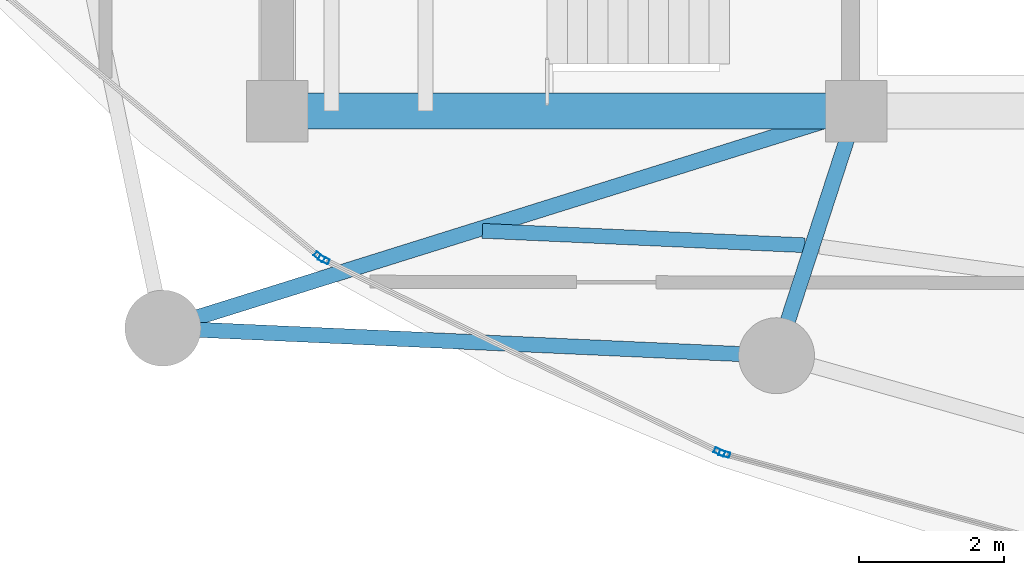
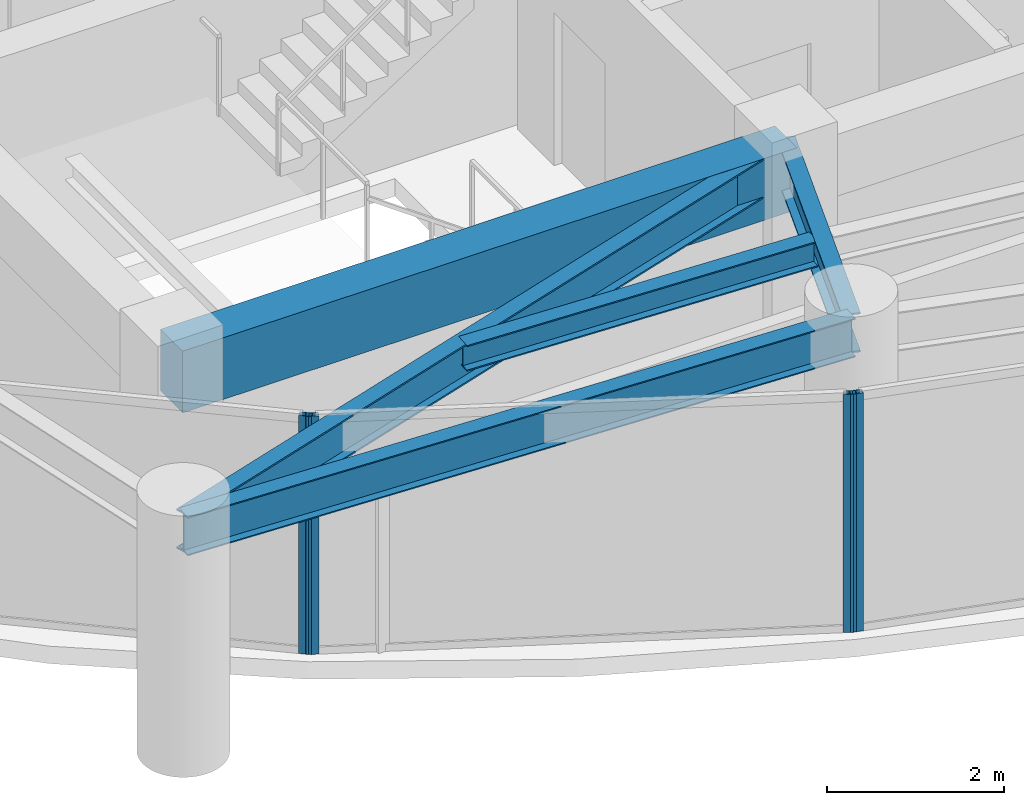
# One storey, part 2 of 29: 5 beams, 4 members, 3 elements without a shape of their own.
"""IFC4 building model written with IfcOpenShell, lengths in metres."""

from ifc_helpers import new_model, si_unit, direction, frame, origin, origin_2d, place, context, subcontext, project, spatial, rectangle, hollow_rectangle, i_section, extrude, material, layer, layer_set, material_profile, profile_set, type_object, element, aggregate, save


model = new_model("IFC4")

# Units and contexts
model_context = context("Model", 3, precision=1e-05, world=origin(), true_north=direction((0.0, 1.0)))
body_context = subcontext(model_context, "Body", "Model", "MODEL_VIEW")
ifc_project = project(units=[si_unit("LENGTHUNIT", "METRE"), si_unit("AREAUNIT", "SQUARE_METRE"), si_unit("VOLUMEUNIT", "CUBIC_METRE"), si_unit("PLANEANGLEUNIT", "RADIAN"), si_unit("MASSUNIT", "GRAM", prefix="KILO")], contexts=[model_context])

# Site, building, storey
site_placement = place(None, origin())
site = spatial("IfcSite", under=ifc_project, at=site_placement, CompositionType="ELEMENT")
building_placement = place(site_placement, origin())
building = spatial("IfcBuilding", under=site, at=building_placement, Name="Kazevale Care Tower and Concert Hall", CompositionType="ELEMENT")
storey_placement = place(building_placement, frame((0.0, 0.0, 249.60009765625)))
storey = spatial("IfcBuildingStorey", under=building, at=storey_placement, Name="L66", CompositionType="ELEMENT", Elevation=249.60009765625)

# Curtain wall, member
ifc_material_1 = material(Name="Aluminium 6063-T6 and Low-E Glass", Category="aluminium")
ifc_layer = layer(ifc_material_1, 0.179931640625)
ifc_layer_set = layer_set([ifc_layer], Name="Aluminium 6063-T6 and Low-E Glass")
curtain_wall_type = type_object("IfcCurtainWallType", Name="Sheltered Concave Balcony Curtain Wall CW-5", PredefinedType="NOTDEFINED", material=ifc_layer_set)
curtain_wall_1_placement = place(storey_placement, origin())
curtain_wall_1 = element("IfcCurtainWall", 1, at=curtain_wall_1_placement, inside=storey, type_object=curtain_wall_type, Name="cw:L66:f08", PredefinedType="NOTDEFINED")
ifc_material_2 = material(Name="Aluminium 6063-T6", Category="aluminium")
ifc_material_profile_1 = material_profile(ifc_material_2, hollow_rectangle(XDim=0.074951171875, YDim=0.14990234375, WallThickness=0.00390625, at=origin_2d()), Name="ALU75x150x4")
ifc_profile_set_1 = profile_set([ifc_material_profile_1], Name="Aluminium 6063-T6")
member_type = type_object("IfcMemberType", Name="CW-5 Mullion ALU75x150x4", PredefinedType="MULLION", material=ifc_profile_set_1)
member_1_placement = place(storey_placement, frame((28.18017578125, 18.863037109375, 0.0), z_axis=(0.0, 0.0, 1.0), x_axis=(-0.262848968947, -0.964836991167, 0.0)))
member_1 = element("IfcMember", 2, at=member_1_placement, type_object=member_type, Name="CW-5 mullion 2", PredefinedType="MULLION", context=body_context, shape_type="SweptSolid", body=[
    extrude(hollow_rectangle(XDim=0.074951171875, YDim=0.14990234375, WallThickness=0.00390625, at=origin_2d()), origin(), (0.0, 0.0, 1.0), 3.27978515625),
])
aggregate(curtain_wall_1, [member_1])

# Curtain wall, members
curtain_wall_2_placement = place(storey_placement, origin())
curtain_wall_2 = element("IfcCurtainWall", 3, at=curtain_wall_2_placement, inside=storey, type_object=curtain_wall_type, Name="cw:L66:f09", PredefinedType="NOTDEFINED")
member_2_placement = place(storey_placement, frame((28.1103515625, 18.889404296875, 0.0), z_axis=(0.0, 0.0, 1.0), x_axis=(-0.437238357087, -0.89934566163, 0.0)))
member_2 = element("IfcMember", 4, at=member_2_placement, type_object=member_type, Name="CW-5 mullion 1", PredefinedType="MULLION", context=body_context, shape_type="SweptSolid", body=[
    extrude(hollow_rectangle(XDim=0.074951171875, YDim=0.14990234375, WallThickness=0.00390625, at=origin_2d()), origin(), (0.0, 0.0, 1.0), 3.27978515625),
])
member_3_placement = place(storey_placement, frame((22.644775390625, 21.546630859375, 0.0), z_axis=(0.0, 0.0, 1.0), x_axis=(-0.437238357087, -0.89934566163, 0.0)))
member_3 = element("IfcMember", 5, at=member_3_placement, type_object=member_type, Name="CW-5 mullion 2", PredefinedType="MULLION", context=body_context, shape_type="SweptSolid", body=[
    extrude(hollow_rectangle(XDim=0.074951171875, YDim=0.14990234375, WallThickness=0.00390625, at=origin_2d()), origin(), (0.0, 0.0, 1.0), 3.27978515625),
])
aggregate(curtain_wall_2, [member_2, member_3])

# Curtain wall, member
curtain_wall_3_placement = place(storey_placement, origin())
curtain_wall_3 = element("IfcCurtainWall", 6, at=curtain_wall_3_placement, inside=storey, type_object=curtain_wall_type, Name="cw:L66:f10", PredefinedType="NOTDEFINED")
member_4_placement = place(storey_placement, frame((22.582275390625, 21.5869140625, 0.0), z_axis=(0.0, 0.0, 1.0), x_axis=(-0.639961217204, -0.768407210062, 0.0)))
member_4 = element("IfcMember", 7, at=member_4_placement, type_object=member_type, Name="CW-5 mullion 1", PredefinedType="MULLION", context=body_context, shape_type="SweptSolid", body=[
    extrude(hollow_rectangle(XDim=0.074951171875, YDim=0.14990234375, WallThickness=0.00390625, at=origin_2d()), origin(), (0.0, 0.0, 1.0), 3.27978515625),
])
aggregate(curtain_wall_3, [member_4])

# Beams
ifc_material_3 = material(Name="Concrete C60", Category="concrete")
ifc_material_profile_2 = material_profile(ifc_material_3, rectangle(XDim=0.5, YDim=0.85009765625, at=origin_2d()), Name="RC-B500x850")
ifc_profile_set_2 = profile_set([ifc_material_profile_2], Name="Concrete C60")
beam_type_1 = type_object("IfcBeamType", Name="Core Coupling Beam RC500x850", PredefinedType="LINTEL", material=ifc_profile_set_2)
beam_1_placement = place(storey_placement, frame((22.0, 23.60009765625, 2.85498046875), z_axis=(1.0, 0.0, 0.0), x_axis=(0.0, 1.0, 0.0)))
element("IfcBeam", 8, at=beam_1_placement, inside=storey, type_object=beam_type_1, Name="beam:L66:coretie:1", PredefinedType="LINTEL", context=body_context, shape_type="SweptSolid", body=[
    extrude(rectangle(XDim=0.5, YDim=0.85009765625, at=origin_2d()), origin(), (0.0, 0.0, 1.0), 8.0),
])
ifc_material_4 = material(Name="Steel ASTM A572 Gr 50", Category="steel")
ifc_material_profile_3 = material_profile(ifc_material_4, i_section(OverallWidth=0.2119140625, OverallDepth=0.5439453125, WebThickness=0.01318359375, FlangeThickness=0.021240234375, at=origin_2d()), Name="W530x123")
ifc_profile_set_3 = profile_set([ifc_material_profile_3], Name="Steel ASTM A572 Gr 50")
beam_type_2 = type_object("IfcBeamType", Name="Radial Floor Girder W530x123", PredefinedType="BEAM", material=ifc_profile_set_3)
beam_2_placement = place(storey_placement, frame((30.0, 23.60009765625, 3.0078125), z_axis=(-0.954303255322, -0.298839918486, 0.0), x_axis=(0.298839918486, -0.954303255322, 0.0)))
element("IfcBeam", 9, at=beam_2_placement, inside=storey, type_object=beam_type_2, Name="beam:L66:rad:10", PredefinedType="BEAM", context=body_context, shape_type="SweptSolid", body=[
    extrude(i_section(OverallWidth=0.2119140625, OverallDepth=0.5439453125, WebThickness=0.01318359375, FlangeThickness=0.021240234375, at=origin_2d()), origin(), (0.0, 0.0, 1.0), 10.038818359375),
])
beam_3_placement = place(storey_placement, frame((30.0, 23.60009765625, 3.0078125), z_axis=(-0.309482065101, -0.950905279921, 0.0), x_axis=(0.950905279921, -0.309482065101, 0.0)))
element("IfcBeam", 10, at=beam_3_placement, inside=storey, type_object=beam_type_2, Name="beam:L66:rad:11", PredefinedType="BEAM", context=body_context, shape_type="SweptSolid", body=[
    extrude(i_section(OverallWidth=0.2119140625, OverallDepth=0.5439453125, WebThickness=0.01318359375, FlangeThickness=0.021240234375, at=origin_2d()), origin(), (0.0, 0.0, 1.0), 3.5546875),
])
ifc_material_profile_4 = material_profile(ifc_material_4, i_section(OverallWidth=0.205078125, OverallDepth=0.35400390625, WebThickness=0.009521484375, FlangeThickness=0.016845703125, at=origin_2d()), Name="W360x79")
ifc_profile_set_4 = profile_set([ifc_material_profile_4], Name="Steel ASTM A572 Gr 50")
beam_type_3 = type_object("IfcBeamType", Name="Secondary Floor Joist W360x79", PredefinedType="JOIST", material=ifc_profile_set_4)
beam_4_placement = place(storey_placement, frame((24.8359375, 21.945068359375, 3.102783203125), z_axis=(0.999003687274, -0.044627713502, 0.0), x_axis=(0.044627713502, 0.999003687274, 0.0)))
element("IfcBeam", 11, at=beam_4_placement, inside=storey, type_object=beam_type_3, Name="beam:L66:joist:10", PredefinedType="JOIST", context=body_context, shape_type="SweptSolid", body=[
    extrude(i_section(OverallWidth=0.205078125, OverallDepth=0.35400390625, WebThickness=0.009521484375, FlangeThickness=0.016845703125, at=origin_2d()), origin(), (0.0, 0.0, 1.0), 4.45849609375),
])
ifc_material_profile_5 = material_profile(ifc_material_4, i_section(OverallWidth=0.208984375, OverallDepth=0.532958984375, WebThickness=0.01025390625, FlangeThickness=0.015625, at=origin_2d()), Name="W530x92")
ifc_profile_set_5 = profile_set([ifc_material_profile_5], Name="Steel ASTM A572 Gr 50")
beam_type_4 = type_object("IfcBeamType", Name="Upper Ring Beam W530x92", PredefinedType="BEAM", material=ifc_profile_set_5)
beam_5_placement = place(storey_placement, frame((20.419921875, 20.60009765625, 3.013427734375), z_axis=(0.998996808771, -0.044781425441, 0.0), x_axis=(0.044781425441, 0.998996808771, 0.0)))
element("IfcBeam", 12, at=beam_5_placement, inside=storey, type_object=beam_type_4, Name="beam:L66:ring:10", PredefinedType="BEAM", context=body_context, shape_type="SweptSolid", body=[
    extrude(i_section(OverallWidth=0.208984375, OverallDepth=0.532958984375, WebThickness=0.01025390625, FlangeThickness=0.015625, at=origin_2d()), origin(), (0.0, 0.0, 1.0), 8.488525390625),
])

save(model, "model.ifc")
